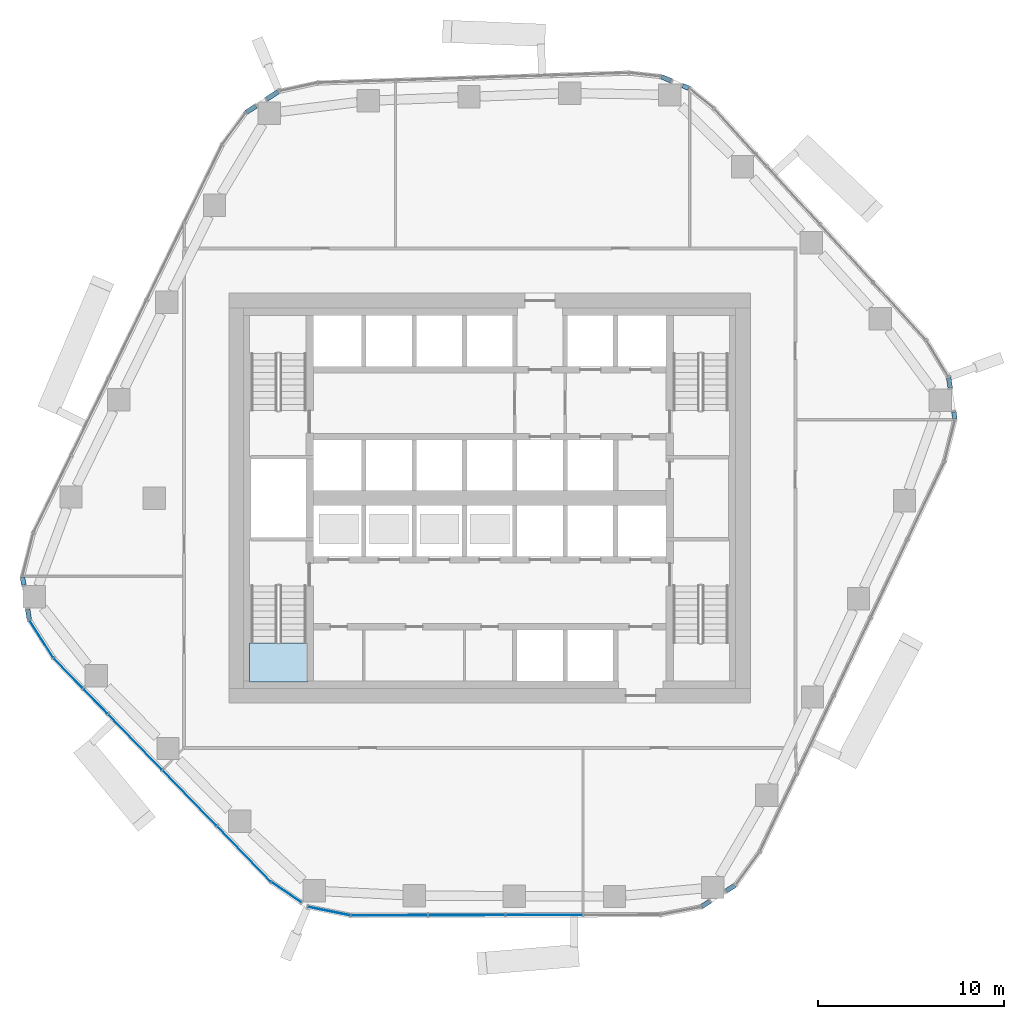
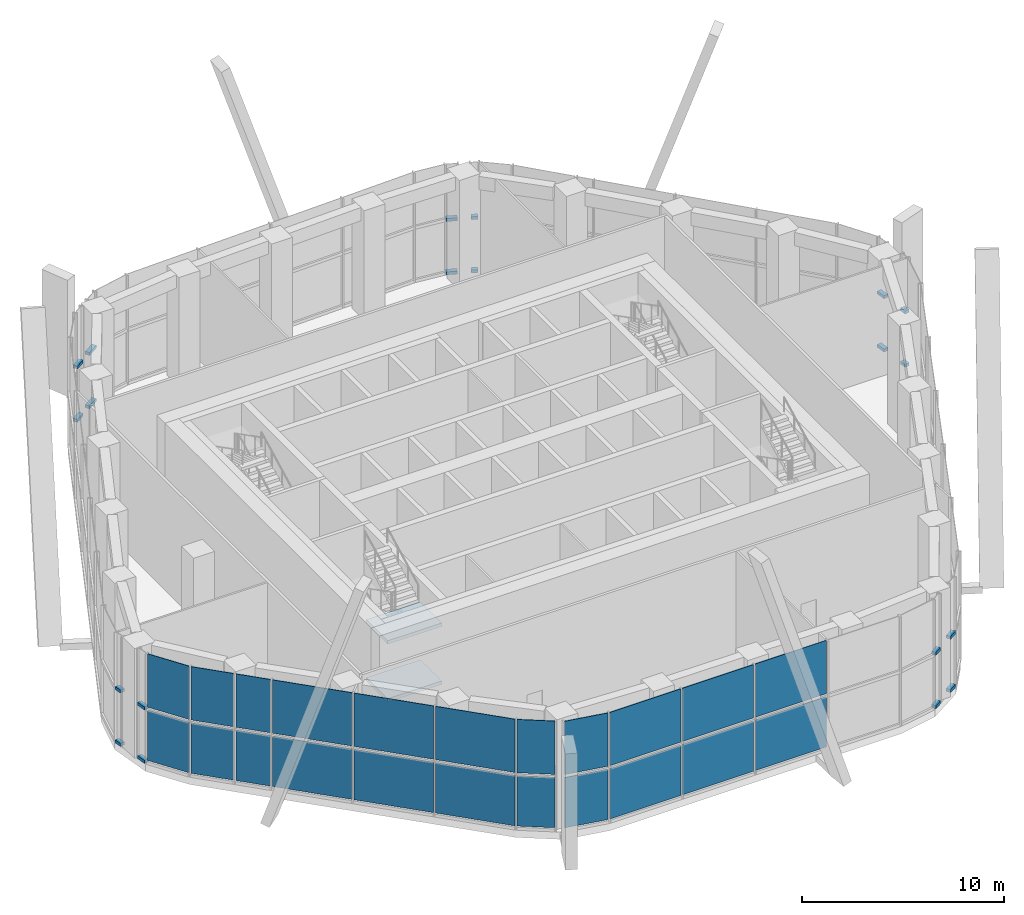
# One storey, part 6 of 20: 22 plates, 20 members, 2 slabs, 16 elements without a shape of their own.
"""IFC4 building model written with IfcOpenShell, lengths in metres."""

from ifc_helpers import new_model, si_unit, direction, frame, origin, origin_2d, place, context, subcontext, project, spatial, polyline, rectangle, outline, extrude, material, layer, layer_set, material_profile, profile_set, type_object, element, aggregate, save


model = new_model("IFC4")

# Units and contexts
model_context = context("Model", 3, precision=1e-05, world=origin(), true_north=direction((0.0, 1.0)))
body_context = subcontext(model_context, "Body", "Model", "MODEL_VIEW")
ifc_project = project(units=[si_unit("LENGTHUNIT", "METRE"), si_unit("AREAUNIT", "SQUARE_METRE"), si_unit("VOLUMEUNIT", "CUBIC_METRE"), si_unit("PLANEANGLEUNIT", "RADIAN"), si_unit("MASSUNIT", "GRAM", prefix="KILO")], contexts=[model_context])

# Site, building, storey
site_placement = place(None, origin())
site = spatial("IfcSite", under=ifc_project, at=site_placement, CompositionType="ELEMENT")
building_placement = place(site_placement, origin())
building = spatial("IfcBuilding", under=site, at=building_placement, Name="Dongbaek Canopy Tower", CompositionType="ELEMENT")
storey_placement = place(building_placement, frame((0.0, 0.0, 151.60009765625)))
storey = spatial("IfcBuildingStorey", under=building, at=storey_placement, Name="L33", CompositionType="ELEMENT", Elevation=151.60009765625)

# Curtain wall, members
ifc_material_1 = material(Name="Aluminium 6063-T6 pale anodised", Category="aluminium")
ifc_layer_1 = layer(ifc_material_1, 0.25)
ifc_layer_set_1 = layer_set([ifc_layer_1], Name="CW-4 sky-lobby curtain wall")
curtain_wall_type = type_object("IfcCurtainWallType", Name="CW-4 sky-lobby curtain wall", PredefinedType="NOTDEFINED", material=ifc_layer_set_1)
curtain_wall_1_placement = place(storey_placement, origin())
curtain_wall_1 = element("IfcCurtainWall", 1, at=curtain_wall_1_placement, inside=storey, type_object=curtain_wall_type, Name="CW-4 curtain wall K0.1a", PredefinedType="NOTDEFINED")
ifc_material_2 = material(Name="Aluminium 6063-T6 pale anodised", Category="aluminium")
ifc_material_profile = material_profile(ifc_material_2, rectangle(XDim=0.25, YDim=0.179931640625, at=origin_2d()), Name="CW-4 transom 180 x 250")
ifc_profile_set = profile_set([ifc_material_profile], Name="Aluminium 6063-T6 pale anodised")
member_type = type_object("IfcMemberType", Name="CW-4 transom 180 x 250", PredefinedType="USERDEFINED", material=ifc_profile_set)
member_1_placement = place(storey_placement, frame((24.959716796875, 4.26123046875, 0.08984375), z_axis=(-0.149337645367, 0.988786259854, 0.0), x_axis=(-0.988786259854, -0.149337645367, 0.0)))
member_1 = element("IfcMember", 2, at=member_1_placement, type_object=member_type, Name="CW-4 transom K0.1a.2.1", ObjectType="TRANSOM", PredefinedType="USERDEFINED", context=body_context, shape_type="SweptSolid", body=[
    extrude(rectangle(XDim=0.25, YDim=0.179931640625, at=origin_2d()), origin(), (0.0, 0.0, 1.0), 0.37109375),
])
member_2_placement = place(storey_placement, frame((24.959716796875, 4.26123046875, 3.309814453125), z_axis=(-0.149337645367, 0.988786259854, 0.0), x_axis=(-0.988786259854, -0.149337645367, 0.0)))
member_2 = element("IfcMember", 3, at=member_2_placement, type_object=member_type, Name="CW-4 transom K0.1a.2.2", ObjectType="TRANSOM", PredefinedType="USERDEFINED", context=body_context, shape_type="SweptSolid", body=[
    extrude(rectangle(XDim=0.25, YDim=0.179931640625, at=origin_2d()), origin(), (0.0, 0.0, 1.0), 0.37109375),
])
aggregate(curtain_wall_1, [member_1, member_2])

curtain_wall_2_placement = place(storey_placement, origin())
curtain_wall_2 = element("IfcCurtainWall", 4, at=curtain_wall_2_placement, inside=storey, type_object=curtain_wall_type, Name="CW-4 curtain wall K0.1b", PredefinedType="NOTDEFINED")
member_3_placement = place(storey_placement, frame((24.708251953125, 5.926513671875, 0.08984375), z_axis=(-0.149277956707, 0.988795272866, 0.0), x_axis=(-0.988795272866, -0.149277956707, 0.0)))
member_3 = element("IfcMember", 5, at=member_3_placement, type_object=member_type, Name="CW-4 transom K0.1b.1.1", ObjectType="TRANSOM", PredefinedType="USERDEFINED", context=body_context, shape_type="SweptSolid", body=[
    extrude(rectangle(XDim=0.25, YDim=0.179931640625, at=origin_2d()), origin(), (0.0, 0.0, 1.0), 0.534912109375),
])
member_4_placement = place(storey_placement, frame((24.708251953125, 5.926513671875, 3.309814453125), z_axis=(-0.149277956707, 0.988795272866, 0.0), x_axis=(-0.988795272866, -0.149277956707, 0.0)))
member_4 = element("IfcMember", 6, at=member_4_placement, type_object=member_type, Name="CW-4 transom K0.1b.1.2", ObjectType="TRANSOM", PredefinedType="USERDEFINED", context=body_context, shape_type="SweptSolid", body=[
    extrude(rectangle(XDim=0.25, YDim=0.179931640625, at=origin_2d()), origin(), (0.0, 0.0, 1.0), 0.534912109375),
])
aggregate(curtain_wall_2, [member_3, member_4])

curtain_wall_3_placement = place(storey_placement, origin())
curtain_wall_3 = element("IfcCurtainWall", 7, at=curtain_wall_3_placement, inside=storey, type_object=curtain_wall_type, Name="CW-4 curtain wall K1.1a", PredefinedType="NOTDEFINED")
member_5_placement = place(storey_placement, frame((10.681396484375, 21.994873046875, 0.08984375), z_axis=(-0.921662523026, 0.387992517518, 0.0), x_axis=(-0.387992517518, -0.921662523026, 0.0)))
member_5 = element("IfcMember", 8, at=member_5_placement, type_object=member_type, Name="CW-4 transom K1.1a.2.1", ObjectType="TRANSOM", PredefinedType="USERDEFINED", context=body_context, shape_type="SweptSolid", body=[
    extrude(rectangle(XDim=0.25, YDim=0.179931640625, at=origin_2d()), origin(), (0.0, 0.0, 1.0), 0.338623046875),
])
member_6_placement = place(storey_placement, frame((10.681396484375, 21.994873046875, 3.309814453125), z_axis=(-0.921662523026, 0.387992517518, 0.0), x_axis=(-0.387992517518, -0.921662523026, 0.0)))
member_6 = element("IfcMember", 9, at=member_6_placement, type_object=member_type, Name="CW-4 transom K1.1a.2.2", ObjectType="TRANSOM", PredefinedType="USERDEFINED", context=body_context, shape_type="SweptSolid", body=[
    extrude(rectangle(XDim=0.25, YDim=0.179931640625, at=origin_2d()), origin(), (0.0, 0.0, 1.0), 0.338623046875),
])
aggregate(curtain_wall_3, [member_5, member_6])

curtain_wall_4_placement = place(storey_placement, origin())
curtain_wall_4 = element("IfcCurtainWall", 10, at=curtain_wall_4_placement, inside=storey, type_object=curtain_wall_type, Name="CW-4 curtain wall K1.1b", PredefinedType="NOTDEFINED")
member_7_placement = place(storey_placement, frame((9.728515625, 22.39599609375, 0.08984375), z_axis=(-0.921701142631, 0.38790076524, 0.0), x_axis=(-0.38790076524, -0.921701142631, 0.0)))
member_7 = element("IfcMember", 11, at=member_7_placement, type_object=member_type, Name="CW-4 transom K1.1b.1.1", ObjectType="TRANSOM", PredefinedType="USERDEFINED", context=body_context, shape_type="SweptSolid", body=[
    extrude(rectangle(XDim=0.25, YDim=0.179931640625, at=origin_2d()), origin(), (0.0, 0.0, 1.0), 0.558837890625),
])
member_8_placement = place(storey_placement, frame((9.728515625, 22.39599609375, 3.309814453125), z_axis=(-0.921701142631, 0.38790076524, 0.0), x_axis=(-0.38790076524, -0.921701142631, 0.0)))
member_8 = element("IfcMember", 12, at=member_8_placement, type_object=member_type, Name="CW-4 transom K1.1b.1.2", ObjectType="TRANSOM", PredefinedType="USERDEFINED", context=body_context, shape_type="SweptSolid", body=[
    extrude(rectangle(XDim=0.25, YDim=0.179931640625, at=origin_2d()), origin(), (0.0, 0.0, 1.0), 0.558837890625),
])
aggregate(curtain_wall_4, [member_7, member_8])

curtain_wall_5_placement = place(storey_placement, origin())
curtain_wall_5 = element("IfcCurtainWall", 13, at=curtain_wall_5_placement, inside=storey, type_object=curtain_wall_type, Name="CW-4 curtain wall K2.1a", PredefinedType="NOTDEFINED")
member_9_placement = place(storey_placement, frame((-11.35009765625, 21.810546875, 0.08984375), z_axis=(-0.839190030632, -0.543838296268, 0.0), x_axis=(0.543838296268, -0.839190030632, 0.0)))
member_9 = element("IfcMember", 14, at=member_9_placement, type_object=member_type, Name="CW-4 transom K2.1a.2.1", ObjectType="TRANSOM", PredefinedType="USERDEFINED", context=body_context, shape_type="SweptSolid", body=[
    extrude(rectangle(XDim=0.25, YDim=0.179931640625, at=origin_2d()), origin(), (0.0, 0.0, 1.0), 0.72412109375),
])
member_10_placement = place(storey_placement, frame((-11.35009765625, 21.810546875, 3.309814453125), z_axis=(-0.839190030632, -0.543838296268, 0.0), x_axis=(0.543838296268, -0.839190030632, 0.0)))
member_10 = element("IfcMember", 15, at=member_10_placement, type_object=member_type, Name="CW-4 transom K2.1a.2.2", ObjectType="TRANSOM", PredefinedType="USERDEFINED", context=body_context, shape_type="SweptSolid", body=[
    extrude(rectangle(XDim=0.25, YDim=0.179931640625, at=origin_2d()), origin(), (0.0, 0.0, 1.0), 0.72412109375),
])
aggregate(curtain_wall_5, [member_9, member_10])

curtain_wall_6_placement = place(storey_placement, origin())
curtain_wall_6 = element("IfcCurtainWall", 16, at=curtain_wall_6_placement, inside=storey, type_object=curtain_wall_type, Name="CW-4 curtain wall K2.1b", PredefinedType="NOTDEFINED")
member_11_placement = place(storey_placement, frame((-12.546630859375, 21.034912109375, 0.08984375), z_axis=(-0.839190549226, -0.543837496032, 0.0), x_axis=(0.543837496032, -0.839190549226, 0.0)))
member_11 = element("IfcMember", 17, at=member_11_placement, type_object=member_type, Name="CW-4 transom K2.1b.1.1", ObjectType="TRANSOM", PredefinedType="USERDEFINED", context=body_context, shape_type="SweptSolid", body=[
    extrude(rectangle(XDim=0.25, YDim=0.179931640625, at=origin_2d()), origin(), (0.0, 0.0, 1.0), 0.604248046875),
])
member_12_placement = place(storey_placement, frame((-12.546630859375, 21.034912109375, 3.309814453125), z_axis=(-0.839190549226, -0.543837496032, 0.0), x_axis=(0.543837496032, -0.839190549226, 0.0)))
member_12 = element("IfcMember", 18, at=member_12_placement, type_object=member_type, Name="CW-4 transom K2.1b.1.2", ObjectType="TRANSOM", PredefinedType="USERDEFINED", context=body_context, shape_type="SweptSolid", body=[
    extrude(rectangle(XDim=0.25, YDim=0.179931640625, at=origin_2d()), origin(), (0.0, 0.0, 1.0), 0.604248046875),
])
aggregate(curtain_wall_6, [member_11, member_12])

curtain_wall_7_placement = place(storey_placement, origin())
curtain_wall_7 = element("IfcCurtainWall", 19, at=curtain_wall_7_placement, inside=storey, type_object=curtain_wall_type, Name="CW-4 curtain wall K3.1a", PredefinedType="NOTDEFINED")
member_13_placement = place(storey_placement, frame((-25.06689453125, -4.23583984375, 0.08984375), z_axis=(0.158222486363, -0.987403486326, 0.0), x_axis=(0.987403486326, 0.158222486363, 0.0)))
member_13 = element("IfcMember", 20, at=member_13_placement, type_object=member_type, Name="CW-4 transom K3.1a.2.1", ObjectType="TRANSOM", PredefinedType="USERDEFINED", context=body_context, shape_type="SweptSolid", body=[
    extrude(rectangle(XDim=0.25, YDim=0.179931640625, at=origin_2d()), origin(), (0.0, 0.0, 1.0), 0.410400390625),
])
member_14_placement = place(storey_placement, frame((-25.06689453125, -4.23583984375, 3.309814453125), z_axis=(0.158222486363, -0.987403486326, 0.0), x_axis=(0.987403486326, 0.158222486363, 0.0)))
member_14 = element("IfcMember", 21, at=member_14_placement, type_object=member_type, Name="CW-4 transom K3.1a.2.2", ObjectType="TRANSOM", PredefinedType="USERDEFINED", context=body_context, shape_type="SweptSolid", body=[
    extrude(rectangle(XDim=0.25, YDim=0.179931640625, at=origin_2d()), origin(), (0.0, 0.0, 1.0), 0.410400390625),
])
aggregate(curtain_wall_7, [member_13, member_14])

curtain_wall_8_placement = place(storey_placement, origin())
curtain_wall_8 = element("IfcCurtainWall", 22, at=curtain_wall_8_placement, inside=storey, type_object=curtain_wall_type, Name="CW-4 curtain wall K3.1b", PredefinedType="NOTDEFINED")
member_15_placement = place(storey_placement, frame((-24.789306640625, -5.965087890625, 0.08984375), z_axis=(0.158865581078, -0.987300221386, 0.0), x_axis=(0.987300221386, 0.158865581078, 0.0)))
member_15 = element("IfcMember", 23, at=member_15_placement, type_object=member_type, Name="CW-4 transom K3.1b.1.1", ObjectType="TRANSOM", PredefinedType="USERDEFINED", context=body_context, shape_type="SweptSolid", body=[
    extrude(rectangle(XDim=0.25, YDim=0.179931640625, at=origin_2d()), origin(), (0.0, 0.0, 1.0), 0.5439453125),
])
member_16_placement = place(storey_placement, frame((-24.789306640625, -5.965087890625, 3.309814453125), z_axis=(0.158865581078, -0.987300221386, 0.0), x_axis=(0.987300221386, 0.158865581078, 0.0)))
member_16 = element("IfcMember", 24, at=member_16_placement, type_object=member_type, Name="CW-4 transom K3.1b.1.2", ObjectType="TRANSOM", PredefinedType="USERDEFINED", context=body_context, shape_type="SweptSolid", body=[
    extrude(rectangle(XDim=0.25, YDim=0.179931640625, at=origin_2d()), origin(), (0.0, 0.0, 1.0), 0.5439453125),
])

curtain_wall_9_placement = place(storey_placement, origin())
curtain_wall_9 = element("IfcCurtainWall", 25, at=curtain_wall_9_placement, inside=storey, type_object=curtain_wall_type, Name="CW-4 curtain wall K5.1a", PredefinedType="NOTDEFINED")
member_17_placement = place(storey_placement, frame((11.37060546875, -21.90869140625, 0.08984375), z_axis=(0.844465449441, 0.535610030433, 0.0), x_axis=(-0.535610030433, 0.844465449441, 0.0)))
member_17 = element("IfcMember", 26, at=member_17_placement, type_object=member_type, Name="CW-4 transom K5.1a.2.1", ObjectType="TRANSOM", PredefinedType="USERDEFINED", context=body_context, shape_type="SweptSolid", body=[
    extrude(rectangle(XDim=0.25, YDim=0.179931640625, at=origin_2d()), origin(), (0.0, 0.0, 1.0), 0.49951171875),
])
member_18_placement = place(storey_placement, frame((11.37060546875, -21.90869140625, 3.309814453125), z_axis=(0.844465449441, 0.535610030433, 0.0), x_axis=(-0.535610030433, 0.844465449441, 0.0)))
member_18 = element("IfcMember", 27, at=member_18_placement, type_object=member_type, Name="CW-4 transom K5.1a.2.2", ObjectType="TRANSOM", PredefinedType="USERDEFINED", context=body_context, shape_type="SweptSolid", body=[
    extrude(rectangle(XDim=0.25, YDim=0.179931640625, at=origin_2d()), origin(), (0.0, 0.0, 1.0), 0.49951171875),
])
aggregate(curtain_wall_9, [member_17, member_18])

curtain_wall_10_placement = place(storey_placement, origin())
curtain_wall_10 = element("IfcCurtainWall", 28, at=curtain_wall_10_placement, inside=storey, type_object=curtain_wall_type, Name="CW-4 curtain wall K5.1b", PredefinedType="NOTDEFINED")
member_19_placement = place(storey_placement, frame((12.69482421875, -21.068603515625, 0.08984375), z_axis=(0.844443641712, 0.535644411874, 0.0), x_axis=(-0.535644411874, 0.844443641712, 0.0)))
member_19 = element("IfcMember", 29, at=member_19_placement, type_object=member_type, Name="CW-4 transom K5.1b.1.1", ObjectType="TRANSOM", PredefinedType="USERDEFINED", context=body_context, shape_type="SweptSolid", body=[
    extrude(rectangle(XDim=0.25, YDim=0.179931640625, at=origin_2d()), origin(), (0.0, 0.0, 1.0), 0.539306640625),
])
member_20_placement = place(storey_placement, frame((12.69482421875, -21.068603515625, 3.309814453125), z_axis=(0.844443641712, 0.535644411874, 0.0), x_axis=(-0.535644411874, 0.844443641712, 0.0)))
member_20 = element("IfcMember", 30, at=member_20_placement, type_object=member_type, Name="CW-4 transom K5.1b.1.2", ObjectType="TRANSOM", PredefinedType="USERDEFINED", context=body_context, shape_type="SweptSolid", body=[
    extrude(rectangle(XDim=0.25, YDim=0.179931640625, at=origin_2d()), origin(), (0.0, 0.0, 1.0), 0.539306640625),
])
aggregate(curtain_wall_10, [member_19, member_20])

# Plate
ifc_material_3 = material(Name="Clear laminated glass", Category="glass")
ifc_layer_2 = layer(ifc_material_3, 0.035888671875)
ifc_layer_set_2 = layer_set([ifc_layer_2], Name="CW-4 glazed panel 36")
plate_type = type_object("IfcPlateType", Name="CW-4 glazed panel 36", PredefinedType="CURTAIN_PANEL", material=ifc_layer_set_2)
plate_1_placement = place(storey_placement, frame((-24.05078125, -7.560791015625, 0.179931640625), z_axis=(0.0, 0.0, 1.0), x_axis=(0.537313778011, -0.843382418574, 0.0)))
plate_1 = element("IfcPlate", 31, at=plate_1_placement, type_object=plate_type, Name="CW-4 panel K3.1b.2.1", PredefinedType="CURTAIN_PANEL", context=body_context, shape_type="SweptSolid", body=[
    extrude(rectangle(XDim=2.305908203125, YDim=0.035888671875, at=origin_2d()), origin(), (0.0, 0.0, 1.0), 3.0400390625),
])

plate_2_placement = place(storey_placement, frame((-24.05078125, -7.560791015625, 3.39990234375), z_axis=(0.0, 0.0, 1.0), x_axis=(0.537313778011, -0.843382418574, 0.0)))
plate_2 = element("IfcPlate", 32, at=plate_2_placement, type_object=plate_type, Name="CW-4 panel K3.1b.2.2", PredefinedType="CURTAIN_PANEL", context=body_context, shape_type="SweptSolid", body=[
    extrude(rectangle(XDim=2.305908203125, YDim=0.035888671875, at=origin_2d()), origin(), (0.0, 0.0, 1.0), 3.219970703125),
])

aggregate(curtain_wall_8, [member_15, member_16, plate_1, plate_2])

# Curtain wall, plates
curtain_wall_11_placement = place(storey_placement, origin())
curtain_wall_11 = element("IfcCurtainWall", 33, at=curtain_wall_11_placement, inside=storey, type_object=curtain_wall_type, Name="CW-4 curtain wall F3.1a", PredefinedType="NOTDEFINED")
plate_3_placement = place(storey_placement, frame((-22.611572265625, -9.389892578125, 0.179931640625), z_axis=(0.0, 0.0, 1.0), x_axis=(0.697014510721, -0.717057021334, 0.0)))
plate_3 = element("IfcPlate", 34, at=plate_3_placement, type_object=plate_type, Name="CW-4 panel F3.1a.1.1", PredefinedType="CURTAIN_PANEL", context=body_context, shape_type="SweptSolid", body=[
    extrude(rectangle(XDim=2.185546875, YDim=0.035888671875, at=origin_2d()), origin(), (0.0, 0.0, 1.0), 3.0400390625),
])
plate_4_placement = place(storey_placement, frame((-22.611572265625, -9.389892578125, 3.39990234375), z_axis=(0.0, 0.0, 1.0), x_axis=(0.697014510721, -0.717057021334, 0.0)))
plate_4 = element("IfcPlate", 35, at=plate_4_placement, type_object=plate_type, Name="CW-4 panel F3.1a.1.2", PredefinedType="CURTAIN_PANEL", context=body_context, shape_type="SweptSolid", body=[
    extrude(rectangle(XDim=2.185546875, YDim=0.035888671875, at=origin_2d()), origin(), (0.0, 0.0, 1.0), 3.219970703125),
])
aggregate(curtain_wall_11, [plate_3, plate_4])

curtain_wall_12_placement = place(storey_placement, origin())
curtain_wall_12 = element("IfcCurtainWall", 36, at=curtain_wall_12_placement, inside=storey, type_object=curtain_wall_type, Name="CW-4 curtain wall F3.1b", PredefinedType="NOTDEFINED")
plate_5_placement = place(storey_placement, frame((-21.140380859375, -10.903564453125, 0.179931640625), z_axis=(0.0, 0.0, 1.0), x_axis=(0.697014510721, -0.717057021334, 0.0)))
plate_5 = element("IfcPlate", 37, at=plate_5_placement, type_object=plate_type, Name="CW-4 panel F3.1b.1.1", PredefinedType="CURTAIN_PANEL", context=body_context, shape_type="SweptSolid", body=[
    extrude(rectangle(XDim=1.776123046875, YDim=0.035888671875, at=origin_2d()), origin(), (0.0, 0.0, 1.0), 3.0400390625),
])
plate_6_placement = place(storey_placement, frame((-21.140380859375, -10.903564453125, 3.39990234375), z_axis=(0.0, 0.0, 1.0), x_axis=(0.697014510721, -0.717057021334, 0.0)))
plate_6 = element("IfcPlate", 38, at=plate_6_placement, type_object=plate_type, Name="CW-4 panel F3.1b.1.2", PredefinedType="CURTAIN_PANEL", context=body_context, shape_type="SweptSolid", body=[
    extrude(rectangle(XDim=1.776123046875, YDim=0.035888671875, at=origin_2d()), origin(), (0.0, 0.0, 1.0), 3.219970703125),
])
plate_7_placement = place(storey_placement, frame((-19.0263671875, -13.078125, 0.179931640625), z_axis=(0.0, 0.0, 1.0), x_axis=(0.697014510721, -0.717057021334, 0.0)))
plate_7 = element("IfcPlate", 39, at=plate_7_placement, type_object=plate_type, Name="CW-4 panel F3.1b.2.1", PredefinedType="CURTAIN_PANEL", context=body_context, shape_type="SweptSolid", body=[
    extrude(rectangle(XDim=4.101806640625, YDim=0.035888671875, at=origin_2d()), origin(), (0.0, 0.0, 1.0), 3.0400390625),
])
plate_8_placement = place(storey_placement, frame((-19.0263671875, -13.078125, 3.39990234375), z_axis=(0.0, 0.0, 1.0), x_axis=(0.697014510721, -0.717057021334, 0.0)))
plate_8 = element("IfcPlate", 40, at=plate_8_placement, type_object=plate_type, Name="CW-4 panel F3.1b.2.2", PredefinedType="CURTAIN_PANEL", context=body_context, shape_type="SweptSolid", body=[
    extrude(rectangle(XDim=4.101806640625, YDim=0.035888671875, at=origin_2d()), origin(), (0.0, 0.0, 1.0), 3.219970703125),
])
plate_9_placement = place(storey_placement, frame((-16.101806640625, -16.0869140625, 0.179931640625), z_axis=(0.0, 0.0, 1.0), x_axis=(0.697014510721, -0.717057021334, 0.0)))
plate_9 = element("IfcPlate", 41, at=plate_9_placement, type_object=plate_type, Name="CW-4 panel F3.1b.3.1", PredefinedType="CURTAIN_PANEL", context=body_context, shape_type="SweptSolid", body=[
    extrude(rectangle(XDim=4.101806640625, YDim=0.035888671875, at=origin_2d()), origin(), (0.0, 0.0, 1.0), 3.0400390625),
])
plate_10_placement = place(storey_placement, frame((-16.101806640625, -16.0869140625, 3.39990234375), z_axis=(0.0, 0.0, 1.0), x_axis=(0.697014510721, -0.717057021334, 0.0)))
plate_10 = element("IfcPlate", 42, at=plate_10_placement, type_object=plate_type, Name="CW-4 panel F3.1b.3.2", PredefinedType="CURTAIN_PANEL", context=body_context, shape_type="SweptSolid", body=[
    extrude(rectangle(XDim=4.101806640625, YDim=0.035888671875, at=origin_2d()), origin(), (0.0, 0.0, 1.0), 3.219970703125),
])
plate_11_placement = place(storey_placement, frame((-13.180908203125, -19.091796875, 0.179931640625), z_axis=(0.0, 0.0, 1.0), x_axis=(0.697014510721, -0.717057021334, 0.0)))
plate_11 = element("IfcPlate", 43, at=plate_11_placement, type_object=plate_type, Name="CW-4 panel F3.1b.4.1", PredefinedType="CURTAIN_PANEL", context=body_context, shape_type="SweptSolid", body=[
    extrude(rectangle(XDim=4.091552734375, YDim=0.035888671875, at=origin_2d()), origin(), (0.0, 0.0, 1.0), 3.0400390625),
])
plate_12_placement = place(storey_placement, frame((-13.180908203125, -19.091796875, 3.39990234375), z_axis=(0.0, 0.0, 1.0), x_axis=(0.697014510721, -0.717057021334, 0.0)))
plate_12 = element("IfcPlate", 44, at=plate_12_placement, type_object=plate_type, Name="CW-4 panel F3.1b.4.2", PredefinedType="CURTAIN_PANEL", context=body_context, shape_type="SweptSolid", body=[
    extrude(rectangle(XDim=4.091552734375, YDim=0.035888671875, at=origin_2d()), origin(), (0.0, 0.0, 1.0), 3.219970703125),
])
aggregate(curtain_wall_12, [plate_5, plate_6, plate_7, plate_8, plate_9, plate_10, plate_11, plate_12])

curtain_wall_13_placement = place(storey_placement, origin())
curtain_wall_13 = element("IfcCurtainWall", 45, at=curtain_wall_13_placement, inside=storey, type_object=curtain_wall_type, Name="CW-4 curtain wall K4.1a", PredefinedType="NOTDEFINED")
plate_13_placement = place(storey_placement, frame((-10.90869140625, -21.14794921875, 0.179931640625), z_axis=(0.0, 0.0, 1.0), x_axis=(0.825822575567, -0.56393002552, 0.0)))
plate_13 = element("IfcPlate", 46, at=plate_13_placement, type_object=plate_type, Name="CW-4 panel K4.1a.1.1", PredefinedType="CURTAIN_PANEL", context=body_context, shape_type="SweptSolid", body=[
    extrude(rectangle(XDim=1.8759765625, YDim=0.035888671875, at=origin_2d()), origin(), (0.0, 0.0, 1.0), 3.0400390625),
])
plate_14_placement = place(storey_placement, frame((-10.90869140625, -21.14794921875, 3.39990234375), z_axis=(0.0, 0.0, 1.0), x_axis=(0.825822575567, -0.56393002552, 0.0)))
plate_14 = element("IfcPlate", 47, at=plate_14_placement, type_object=plate_type, Name="CW-4 panel K4.1a.1.2", PredefinedType="CURTAIN_PANEL", context=body_context, shape_type="SweptSolid", body=[
    extrude(rectangle(XDim=1.8759765625, YDim=0.035888671875, at=origin_2d()), origin(), (0.0, 0.0, 1.0), 3.219970703125),
])
aggregate(curtain_wall_13, [plate_13, plate_14])

curtain_wall_14_placement = place(storey_placement, origin())
curtain_wall_14 = element("IfcCurtainWall", 48, at=curtain_wall_14_placement, inside=storey, type_object=curtain_wall_type, Name="CW-4 curtain wall K4.1b", PredefinedType="NOTDEFINED")
plate_15_placement = place(storey_placement, frame((-8.617919921875, -22.155029296875, 0.179931640625), z_axis=(0.0, 0.0, 1.0), x_axis=(0.980408920907, -0.196972962118, 0.0)))
plate_15 = element("IfcPlate", 49, at=plate_15_placement, type_object=plate_type, Name="CW-4 panel K4.1b.1.1", PredefinedType="CURTAIN_PANEL", context=body_context, shape_type="SweptSolid", body=[
    extrude(rectangle(XDim=2.2646484375, YDim=0.035888671875, at=origin_2d()), origin(), (0.0, 0.0, 1.0), 3.0400390625),
])
plate_16_placement = place(storey_placement, frame((-8.617919921875, -22.155029296875, 3.39990234375), z_axis=(0.0, 0.0, 1.0), x_axis=(0.980408920907, -0.196972962118, 0.0)))
plate_16 = element("IfcPlate", 50, at=plate_16_placement, type_object=plate_type, Name="CW-4 panel K4.1b.1.2", PredefinedType="CURTAIN_PANEL", context=body_context, shape_type="SweptSolid", body=[
    extrude(rectangle(XDim=2.2646484375, YDim=0.035888671875, at=origin_2d()), origin(), (0.0, 0.0, 1.0), 3.219970703125),
])
aggregate(curtain_wall_14, [plate_15, plate_16])

curtain_wall_15_placement = place(storey_placement, origin())
curtain_wall_15 = element("IfcCurtainWall", 51, at=curtain_wall_15_placement, inside=storey, type_object=curtain_wall_type, Name="CW-4 curtain wall F4.1", PredefinedType="NOTDEFINED")
plate_17_placement = place(storey_placement, frame((-5.38671875, -22.3828125, 0.179931640625), z_axis=(0.0, 0.0, 1.0), x_axis=(0.999997657755, 0.002164366891, 0.0)))
plate_17 = element("IfcPlate", 52, at=plate_17_placement, type_object=plate_type, Name="CW-4 panel F4.1.1.1", PredefinedType="CURTAIN_PANEL", context=body_context, shape_type="SweptSolid", body=[
    extrude(rectangle(XDim=4.05615234375, YDim=0.035888671875, at=origin_2d()), origin(), (0.0, 0.0, 1.0), 3.0400390625),
])
plate_18_placement = place(storey_placement, frame((-5.38671875, -22.3828125, 3.39990234375), z_axis=(0.0, 0.0, 1.0), x_axis=(0.999997657755, 0.002164366891, 0.0)))
plate_18 = element("IfcPlate", 53, at=plate_18_placement, type_object=plate_type, Name="CW-4 panel F4.1.1.2", PredefinedType="CURTAIN_PANEL", context=body_context, shape_type="SweptSolid", body=[
    extrude(rectangle(XDim=4.05615234375, YDim=0.035888671875, at=origin_2d()), origin(), (0.0, 0.0, 1.0), 3.219970703125),
])
plate_19_placement = place(storey_placement, frame((-1.2314453125, -22.373779296875, 0.179931640625), z_axis=(0.0, 0.0, 1.0), x_axis=(0.999997657755, 0.002164366891, 0.0)))
plate_19 = element("IfcPlate", 54, at=plate_19_placement, type_object=plate_type, Name="CW-4 panel F4.1.2.1", PredefinedType="CURTAIN_PANEL", context=body_context, shape_type="SweptSolid", body=[
    extrude(rectangle(XDim=4.066162109375, YDim=0.035888671875, at=origin_2d()), origin(), (0.0, 0.0, 1.0), 3.0400390625),
])
plate_20_placement = place(storey_placement, frame((-1.2314453125, -22.373779296875, 3.39990234375), z_axis=(0.0, 0.0, 1.0), x_axis=(0.999997657755, 0.002164366891, 0.0)))
plate_20 = element("IfcPlate", 55, at=plate_20_placement, type_object=plate_type, Name="CW-4 panel F4.1.2.2", PredefinedType="CURTAIN_PANEL", context=body_context, shape_type="SweptSolid", body=[
    extrude(rectangle(XDim=4.066162109375, YDim=0.035888671875, at=origin_2d()), origin(), (0.0, 0.0, 1.0), 3.219970703125),
])
plate_21_placement = place(storey_placement, frame((2.9287109375, -22.36474609375, 0.179931640625), z_axis=(0.0, 0.0, 1.0), x_axis=(0.999997657755, 0.002164366891, 0.0)))
plate_21 = element("IfcPlate", 56, at=plate_21_placement, type_object=plate_type, Name="CW-4 panel F4.1.3.1", PredefinedType="CURTAIN_PANEL", context=body_context, shape_type="SweptSolid", body=[
    extrude(rectangle(XDim=4.066162109375, YDim=0.035888671875, at=origin_2d()), origin(), (0.0, 0.0, 1.0), 3.0400390625),
])
plate_22_placement = place(storey_placement, frame((2.9287109375, -22.36474609375, 3.39990234375), z_axis=(0.0, 0.0, 1.0), x_axis=(0.999997657755, 0.002164366891, 0.0)))
plate_22 = element("IfcPlate", 57, at=plate_22_placement, type_object=plate_type, Name="CW-4 panel F4.1.3.2", PredefinedType="CURTAIN_PANEL", context=body_context, shape_type="SweptSolid", body=[
    extrude(rectangle(XDim=4.066162109375, YDim=0.035888671875, at=origin_2d()), origin(), (0.0, 0.0, 1.0), 3.219970703125),
])
aggregate(curtain_wall_15, [plate_17, plate_18, plate_19, plate_20, plate_21, plate_22])

# Stair, slabs
ifc_material_4 = material(Name="Concrete C40/50", Category="concrete")
stair_type = type_object("IfcStairType", Name="Core exit stair", PredefinedType="HALF_TURN_STAIR", material=ifc_material_4)
stair_placement = place(storey_placement, origin())
stair = element("IfcStair", 58, at=stair_placement, inside=storey, type_object=stair_type, Name="L33 exit stair D", PredefinedType="HALF_TURN_STAIR")
ifc_material_5 = material(Name="Concrete C40/50", Category="concrete")
ifc_layer_3 = layer(ifc_material_5, 0.199951171875)
ifc_layer_set_3 = layer_set([ifc_layer_3], Name="Core stair landing 200")
slab_type = type_object("IfcSlabType", Name="Core stair landing 200", PredefinedType="LANDING", material=ifc_layer_set_3)
slab_1_placement = place(storey_placement, frame((0.0, 0.0, 1.5498046875)))
slab_1 = element("IfcSlab", 59, at=slab_1_placement, type_object=slab_type, Name="ST-D landing 1", PredefinedType="LANDING", context=body_context, shape_type="SweptSolid", body=[
    extrude(outline(polyline([(-12.875, -7.760009765625), (-12.875, -9.875), (-9.77490234375, -9.875), (-9.77490234375, -7.760009765625), (-12.875, -7.760009765625)])), origin(), (0.0, 0.0, 1.0), 0.2001953125),
])
slab_2_placement = place(storey_placement, frame((0.0, 0.0, 5.0498046875)))
slab_2 = element("IfcSlab", 60, at=slab_2_placement, type_object=slab_type, Name="ST-D landing 3", PredefinedType="LANDING", context=body_context, shape_type="SweptSolid", body=[
    extrude(outline(polyline([(-12.875, -7.760009765625), (-12.875, -9.875), (-9.77490234375, -9.875), (-9.77490234375, -7.760009765625), (-12.875, -7.760009765625)])), origin(), (0.0, 0.0, 1.0), 0.2001953125),
])
aggregate(stair, [slab_1, slab_2])

save(model, "model.ifc")
